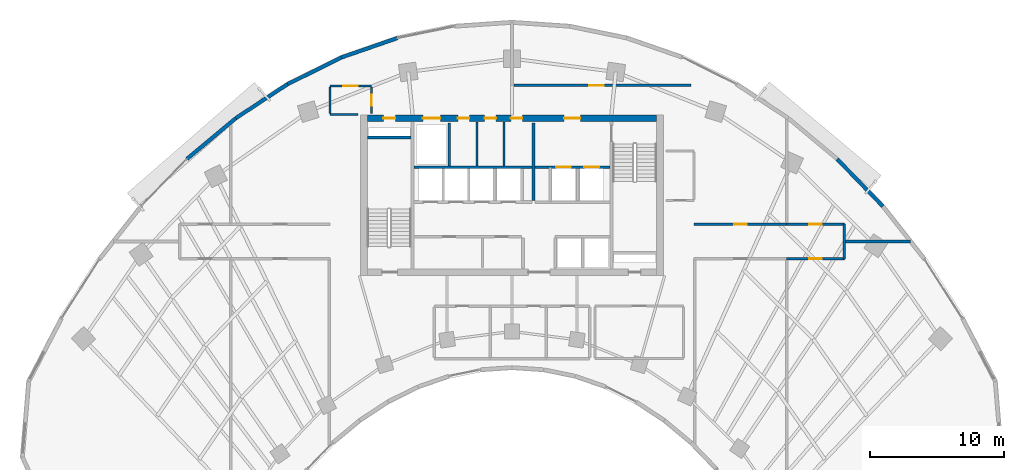
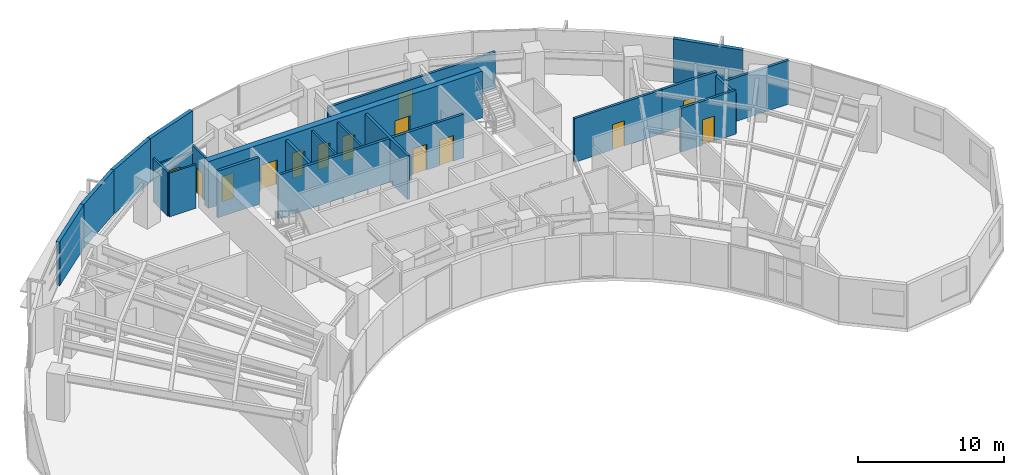
# One storey, part 10 of 14: 23 walls, 14 doors, 14 openings.
"""IFC4 building model written with IfcOpenShell, lengths in metres."""

from ifc_helpers import new_model, si_unit, direction, frame, frame_2d, origin, place, context, subcontext, project, spatial, rectangle, extrude, source, transform, mapped, material, layer, layer_set, type_object, type_shapes, element, fill, save


model = new_model("IFC4")

# Units and contexts
model_context = context("Model", 3, precision=1e-05, world=origin(), true_north=direction((0.0, 1.0)))
body_context = subcontext(model_context, "Body", "Model", "MODEL_VIEW")
ifc_project = project(units=[si_unit("LENGTHUNIT", "METRE"), si_unit("AREAUNIT", "SQUARE_METRE"), si_unit("VOLUMEUNIT", "CUBIC_METRE"), si_unit("PLANEANGLEUNIT", "RADIAN"), si_unit("MASSUNIT", "GRAM", prefix="KILO")], contexts=[model_context])

# Site, building, storey
site_placement = place(None, origin())
site = spatial("IfcSite", under=ifc_project, at=site_placement, CompositionType="ELEMENT")
building_placement = place(site_placement, origin())
building = spatial("IfcBuilding", under=site, at=building_placement, Name="Breltana Convention Tower", CompositionType="ELEMENT")
storey_placement = place(building_placement, frame((0.0, 0.0, 115.5)))
storey = spatial("IfcBuildingStorey", under=building, at=storey_placement, Name="L27", CompositionType="ELEMENT", Elevation=115.5)

# Wall, openings, doors
ifc_material_1 = material(Name="Concrete C60/75", Category="concrete")
ifc_layer_1 = layer(ifc_material_1, 0.5, Name="Concrete C60/75")
ifc_layer_set_1 = layer_set([ifc_layer_1], Name="Concrete C60/75")
wall_type_1 = type_object("IfcWallType", Name="SW-CORE-500", PredefinedType="SHEAR", material=ifc_layer_set_1)
shared_shape_1 = source(origin(), body_context, "Body", "SweptSolid", [
    extrude(rectangle(XDim=21.60009765625, YDim=0.5, at=frame_2d((10.800048828125, 0.0))), origin(), (0.0, 0.0, 1.0), 3.89990234375),
])
wall_1_placement = place(storey_placement, frame((37.199951171875, 71.949951171875, 0.0), z_axis=(0.0, 0.0, 1.0), x_axis=(1.0, 0.0, 0.0)))
wall_1 = element("IfcWall", 1, at=wall_1_placement, inside=storey, type_object=wall_type_1, Name="L27 North Core Shear Wall", PredefinedType="SHEAR", context=body_context, shape_type="MappedRepresentation", body=[
    mapped(shared_shape_1, transform((0.0, 0.0, 0.0), scale=1.0)),
])
opening_1_placement = place(wall_1_placement, frame((1.199951171875, 0.0, 0.0)))
opening_1 = element("IfcOpeningElement", 2, at=opening_1_placement, cuts=wall_1, Name="Opening D-18", PredefinedType="OPENING", context=body_context, shape_type="SweptSolid", body=[
    extrude(rectangle(XDim=0.89990234375, YDim=2.10009765625, at=frame_2d((0.449951171875, 1.050048828125))), frame((0.0, 0.260009765625, 0.0), z_axis=(0.0, -1.0, 0.0), x_axis=(1.0, 0.0, 0.0)), (0.0, 0.0, 1.0), 0.52001953125),
])
opening_2_placement = place(wall_1_placement, frame((14.699951171875, 0.0, 0.0)))
opening_2 = element("IfcOpeningElement", 3, at=opening_2_placement, cuts=wall_1, Name="Opening D-09", PredefinedType="OPENING", context=body_context, shape_type="SweptSolid", body=[
    extrude(rectangle(XDim=1.199951171875, YDim=2.14990234375, at=frame_2d((0.60009765625, 1.074951171875))), frame((0.0, 0.260009765625, 0.0), z_axis=(0.0, -1.0, 0.0), x_axis=(1.0, 0.0, 0.0)), (0.0, 0.0, 1.0), 0.52001953125),
])
opening_3_placement = place(wall_1_placement, frame((4.14990234375, 0.0, 0.0)))
opening_3 = element("IfcOpeningElement", 4, at=opening_3_placement, cuts=wall_1, Name="Opening LD-01", PredefinedType="OPENING", context=body_context, shape_type="SweptSolid", body=[
    extrude(rectangle(XDim=1.300048828125, YDim=2.14990234375, at=frame_2d((0.64990234375, 1.074951171875))), frame((0.0, 0.260009765625, 0.0), z_axis=(0.0, -1.0, 0.0), x_axis=(1.0, 0.0, 0.0)), (0.0, 0.0, 1.0), 0.52001953125),
])
opening_4_placement = place(wall_1_placement, frame((6.760009765625, 0.0, 0.0)))
opening_4 = element("IfcOpeningElement", 5, at=opening_4_placement, cuts=wall_1, Name="Opening D-20", PredefinedType="OPENING", context=body_context, shape_type="SweptSolid", body=[
    extrude(rectangle(XDim=0.85009765625, YDim=2.10009765625, at=frame_2d((0.425048828125, 1.050048828125))), frame((0.0, 0.260009765625, 0.0), z_axis=(0.0, -1.0, 0.0), x_axis=(1.0, 0.0, 0.0)), (0.0, 0.0, 1.0), 0.52001953125),
])
opening_5_placement = place(wall_1_placement, frame((8.760009765625, 0.0, 0.0)))
opening_5 = element("IfcOpeningElement", 6, at=opening_5_placement, cuts=wall_1, Name="Opening D-20", PredefinedType="OPENING", context=body_context, shape_type="SweptSolid", body=[
    extrude(rectangle(XDim=0.85009765625, YDim=2.10009765625, at=frame_2d((0.425048828125, 1.050048828125))), frame((0.0, 0.260009765625, 0.0), z_axis=(0.0, -1.0, 0.0), x_axis=(1.0, 0.0, 0.0)), (0.0, 0.0, 1.0), 0.52001953125),
])
opening_6_placement = place(wall_1_placement, frame((10.72509765625, 0.0, 0.0)))
opening_6 = element("IfcOpeningElement", 7, at=opening_6_placement, cuts=wall_1, Name="Opening D-20", PredefinedType="OPENING", context=body_context, shape_type="SweptSolid", body=[
    extrude(rectangle(XDim=0.85009765625, YDim=2.10009765625, at=frame_2d((0.425048828125, 1.050048828125))), frame((0.0, 0.260009765625, 0.0), z_axis=(0.0, -1.0, 0.0), x_axis=(1.0, 0.0, 0.0)), (0.0, 0.0, 1.0), 0.52001953125),
])
ifc_material_2 = material(Name="Steel Riser Fire Door", Category="steel")
door_type_1 = type_object("IfcDoorType", Name="DR-FD60-900", OperationType="NOTDEFINED", PredefinedType="DOOR", material=ifc_material_2)
shared_shape_2 = source(origin(), body_context, "Body", "SweptSolid", [
    extrude(rectangle(XDim=0.89990234375, YDim=2.10009765625, at=frame_2d((0.449951171875, 1.050048828125))), frame((0.0, 0.02490234375, 0.0), z_axis=(0.0, -1.0, 0.0), x_axis=(1.0, 0.0, 0.0)), (0.0, 0.0, 1.0), 0.050048828125),
])
type_shapes(door_type_1, [shared_shape_2])
door_1_placement = place(opening_1_placement, origin())
door_1 = element("IfcDoor", 8, at=door_1_placement, inside=storey, type_object=door_type_1, Name="L27 Core Riser Access Door D-L27-RS1", OperationType="SINGLE_SWING_LEFT", OverallHeight=2.10009765625, OverallWidth=0.89990234375, PredefinedType="DOOR", context=body_context, shape_type="MappedRepresentation", body=[
    mapped(shared_shape_2, transform((0.0, 0.0, 0.0), scale=1.0)),
])
fill(opening_1, door_1)
ifc_material_3 = material(Name="Steel Fire Lobby Door", Category="steel")
door_type_2 = type_object("IfcDoorType", Name="DR-FD120-1200", OperationType="NOTDEFINED", PredefinedType="DOOR", material=ifc_material_3)
shared_shape_3 = source(origin(), body_context, "Body", "SweptSolid", [
    extrude(rectangle(XDim=1.199951171875, YDim=2.14990234375, at=frame_2d((0.60009765625, 1.074951171875))), frame((0.0, 0.02490234375, 0.0), z_axis=(0.0, -1.0, 0.0), x_axis=(1.0, 0.0, 0.0)), (0.0, 0.0, 1.0), 0.050048828125),
])
type_shapes(door_type_2, [shared_shape_3])
door_2_placement = place(opening_2_placement, origin())
door_2 = element("IfcDoor", 9, at=door_2_placement, inside=storey, type_object=door_type_2, Name="L27 interior door D-L27-FFL-N", OperationType="SINGLE_SWING_RIGHT", OverallHeight=2.14990234375, OverallWidth=1.199951171875, PredefinedType="DOOR", context=body_context, shape_type="MappedRepresentation", body=[
    mapped(shared_shape_3, transform((0.0, 0.0, 0.0), scale=1.0)),
])
fill(opening_2, door_2)
ifc_material_4 = material(Name="Stainless Steel Brushed", Category="steel")
door_type_3 = type_object("IfcDoorType", Name="DR-LD-SRV-1300", OperationType="DOUBLE_DOOR_SLIDING", PredefinedType="DOOR", material=ifc_material_4)
shared_shape_4 = source(origin(), body_context, "Body", "SweptSolid", [
    extrude(rectangle(XDim=1.300048828125, YDim=2.14990234375, at=frame_2d((0.64990234375, 1.074951171875))), frame((0.0, 0.02490234375, 0.0), z_axis=(0.0, -1.0, 0.0), x_axis=(1.0, 0.0, 0.0)), (0.0, 0.0, 1.0), 0.050048828125),
])
type_shapes(door_type_3, [shared_shape_4])
door_3_placement = place(opening_3_placement, origin())
door_3 = element("IfcDoor", 10, at=door_3_placement, inside=storey, type_object=door_type_3, Name="L27 Lift Landing Door D-L27-LD-SV1", OperationType="DOUBLE_DOOR_SLIDING", OverallHeight=2.14990234375, OverallWidth=1.300048828125, PredefinedType="DOOR", context=body_context, shape_type="MappedRepresentation", body=[
    mapped(shared_shape_4, transform((0.0, 0.0, 0.0), scale=1.0)),
])
fill(opening_3, door_3)
ifc_material_5 = material(Name="Steel Closet Fire Door", Category="steel")
door_type_4 = type_object("IfcDoorType", Name="DR-FD60-850", OperationType="NOTDEFINED", PredefinedType="DOOR", material=ifc_material_5)
shared_shape_5 = source(origin(), body_context, "Body", "SweptSolid", [
    extrude(rectangle(XDim=0.85009765625, YDim=2.10009765625, at=frame_2d((0.425048828125, 1.050048828125))), frame((0.0, 0.02490234375, 0.0), z_axis=(0.0, -1.0, 0.0), x_axis=(1.0, 0.0, 0.0)), (0.0, 0.0, 1.0), 0.050048828125),
])
type_shapes(door_type_4, [shared_shape_5])
door_4_placement = place(opening_4_placement, origin())
door_4 = element("IfcDoor", 11, at=door_4_placement, inside=storey, type_object=door_type_4, Name="L27 interior door D-L27-CRA1", OperationType="SINGLE_SWING_LEFT", OverallHeight=2.10009765625, OverallWidth=0.85009765625, PredefinedType="DOOR", context=body_context, shape_type="MappedRepresentation", body=[
    mapped(shared_shape_5, transform((0.0, 0.0, 0.0), scale=1.0)),
])
fill(opening_4, door_4)
door_5_placement = place(opening_5_placement, origin())
door_5 = element("IfcDoor", 12, at=door_5_placement, inside=storey, type_object=door_type_4, Name="L27 interior door D-L27-CRA2", OperationType="SINGLE_SWING_RIGHT", OverallHeight=2.10009765625, OverallWidth=0.85009765625, PredefinedType="DOOR", context=body_context, shape_type="MappedRepresentation", body=[
    mapped(shared_shape_5, transform((0.0, 0.0, 0.0), scale=1.0)),
])
fill(opening_5, door_5)
door_6_placement = place(opening_6_placement, origin())
door_6 = element("IfcDoor", 13, at=door_6_placement, inside=storey, type_object=door_type_4, Name="L27 interior door D-L27-CRA3", OperationType="SINGLE_SWING_LEFT", OverallHeight=2.10009765625, OverallWidth=0.85009765625, PredefinedType="DOOR", context=body_context, shape_type="MappedRepresentation", body=[
    mapped(shared_shape_5, transform((0.0, 0.0, 0.0), scale=1.0)),
])
fill(opening_6, door_6)

# Walls
ifc_material_6 = material(Name="Concrete C50/60", Category="concrete")
ifc_layer_2 = layer(ifc_material_6, 0.39990234375, Name="Concrete C50/60")
ifc_layer_set_2 = layer_set([ifc_layer_2], Name="Concrete C50/60")
wall_type_2 = type_object("IfcWallType", Name="SW-CORE-400", PredefinedType="SHEAR", material=ifc_layer_set_2)
shared_shape_6 = source(origin(), body_context, "Body", "SweptSolid", [
    extrude(rectangle(XDim=3.27001953125, YDim=0.219970703125, at=frame_2d((1.635009765625, 0.0))), origin(), (0.0, 0.0, 1.0), 3.89990234375),
])
wall_2_placement = place(storey_placement, frame((37.199951171875, 70.510009765625, 0.0), z_axis=(0.0, 0.0, 1.0), x_axis=(1.0, 0.0, 0.0)))
element("IfcWall", 14, at=wall_2_placement, inside=storey, type_object=wall_type_2, Name="L27 ST-1 Stairwell North Bearing Wall", PredefinedType="SHEAR", context=body_context, shape_type="MappedRepresentation", body=[
    mapped(shared_shape_6, transform((0.0, 0.0, 0.0), scale=1.0)),
])
ifc_material_7 = material(Name="Limestone Buff Insulated Wall", Category="masonry")
ifc_layer_3 = layer(ifc_material_7, 0.280029296875, Name="Limestone Buff Insulated Wall")
ifc_layer_set_3 = layer_set([ifc_layer_3], Name="Limestone Buff Insulated Wall")
wall_type_3 = type_object("IfcWallType", Name="WL-EXT-NOSE-280", PredefinedType="SOLIDWALL", material=ifc_layer_set_3)
shared_shape_7 = source(origin(), body_context, "Body", "SweptSolid", [
    extrude(rectangle(XDim=4.908447265625, YDim=0.280029296875, at=frame_2d((2.4541015625, 0.0))), origin(), (0.0, 0.0, 1.0), 3.64990234375),
])
wall_3_placement = place(storey_placement, frame((72.275390625, 68.907470703125, 0.0), z_axis=(0.0, 0.0, 1.0), x_axis=(0.694613154328, -0.719383462302, 0.0)))
element("IfcWall", 15, at=wall_3_placement, inside=storey, type_object=wall_type_3, Name="L27 curved limestone nose wall E31", PredefinedType="SOLIDWALL", context=body_context, shape_type="MappedRepresentation", body=[
    mapped(shared_shape_7, transform((0.0, 0.0, 0.0), scale=1.0)),
])
shared_shape_8 = source(origin(), body_context, "Body", "SweptSolid", [
    extrude(rectangle(XDim=4.76220703125, YDim=0.280029296875, at=frame_2d((2.381103515625, 0.0))), origin(), (0.0, 0.0, 1.0), 3.64990234375),
])
wall_4_placement = place(storey_placement, frame((23.724609375, 68.907470703125, 0.0), z_axis=(0.0, 0.0, 1.0), x_axis=(0.767952279762, 0.640507061638, 0.0)))
element("IfcWall", 16, at=wall_4_placement, inside=storey, type_object=wall_type_3, Name="L27 curved limestone nose wall E21", PredefinedType="SOLIDWALL", context=body_context, shape_type="MappedRepresentation", body=[
    mapped(shared_shape_8, transform((0.0, 0.0, 0.0), scale=1.0)),
])
shared_shape_9 = source(origin(), body_context, "Body", "SweptSolid", [
    extrude(rectangle(XDim=4.625732421875, YDim=0.280029296875, at=frame_2d((2.31298828125, 0.0))), origin(), (0.0, 0.0, 1.0), 3.64990234375),
])
wall_5_placement = place(storey_placement, frame((27.3818359375, 71.957763671875, 0.0), z_axis=(0.0, 0.0, 1.0), x_axis=(0.83595938331, 0.548791316855, 0.0)))
element("IfcWall", 17, at=wall_5_placement, inside=storey, type_object=wall_type_3, Name="L27 curved limestone nose wall E22", PredefinedType="SOLIDWALL", context=body_context, shape_type="MappedRepresentation", body=[
    mapped(shared_shape_9, transform((0.0, 0.0, 0.0), scale=1.0)),
])
shared_shape_10 = source(origin(), body_context, "Body", "SweptSolid", [
    extrude(rectangle(XDim=4.408935546875, YDim=0.280029296875, at=frame_2d((2.20458984375, 0.0))), origin(), (0.0, 0.0, 1.0), 3.64990234375),
])
wall_6_placement = place(storey_placement, frame((35.28564453125, 76.497314453125, 0.0), z_axis=(0.0, 0.0, 1.0), x_axis=(0.944879374121, 0.327418643881, 0.0)))
element("IfcWall", 18, at=wall_6_placement, inside=storey, type_object=wall_type_3, Name="L27 curved limestone nose wall E24", PredefinedType="SOLIDWALL", context=body_context, shape_type="MappedRepresentation", body=[
    mapped(shared_shape_10, transform((0.0, 0.0, 0.0), scale=1.0)),
])
shared_shape_11 = source(origin(), body_context, "Body", "SweptSolid", [
    extrude(rectangle(XDim=4.505615234375, YDim=0.280029296875, at=frame_2d((2.2529296875, 0.0))), origin(), (0.0, 0.0, 1.0), 3.64990234375),
])
wall_7_placement = place(storey_placement, frame((31.248779296875, 74.496337890625, 0.0), z_axis=(0.0, 0.0, 1.0), x_axis=(0.89597155075, 0.444111450254, 0.0)))
element("IfcWall", 19, at=wall_7_placement, inside=storey, type_object=wall_type_3, Name="L27 curved limestone nose wall E23", PredefinedType="SOLIDWALL", context=body_context, shape_type="MappedRepresentation", body=[
    mapped(shared_shape_11, transform((0.0, 0.0, 0.0), scale=1.0)),
])

# Wall, openings, doors
ifc_material_8 = material(Name="Autoclaved Aerated Concrete Block", Category="concrete")
ifc_layer_4 = layer(ifc_material_8, 0.199951171875, Name="Autoclaved Aerated Concrete Block")
ifc_layer_set_4 = layer_set([ifc_layer_4], Name="Autoclaved Aerated Concrete Block")
wall_type_4 = type_object("IfcWallType", Name="WL-SHAFT-200", PredefinedType="SOLIDWALL", material=ifc_layer_set_4)
shared_shape_12 = source(origin(), body_context, "Body", "SweptSolid", [
    extrude(rectangle(XDim=5.6201171875, YDim=0.199951171875, at=frame_2d((2.81005859375, 0.0))), origin(), (0.0, 0.0, 1.0), 3.64990234375),
])
wall_8_placement = place(storey_placement, frame((49.699951171875, 68.300048828125, 0.0), z_axis=(0.0, 0.0, 1.0), x_axis=(1.0, 0.0, 0.0)))
wall_8 = element("IfcWall", 20, at=wall_8_placement, inside=storey, type_object=wall_type_4, Name="L27 interior partition W-L27-FFL-S", PredefinedType="SOLIDWALL", context=body_context, shape_type="MappedRepresentation", body=[
    mapped(shared_shape_12, transform((0.0, 0.0, 0.0), scale=1.0)),
])
opening_7_placement = place(wall_8_placement, frame((1.60009765625, 0.0, 0.0)))
opening_7 = element("IfcOpeningElement", 21, at=opening_7_placement, cuts=wall_8, Name="Opening LD-03", PredefinedType="OPENING", context=body_context, shape_type="SweptSolid", body=[
    extrude(rectangle(XDim=1.10009765625, YDim=2.14990234375, at=frame_2d((0.550048828125, 1.074951171875))), frame((0.0, 0.10986328125, 0.0), z_axis=(0.0, -1.0, 0.0), x_axis=(1.0, 0.0, 0.0)), (0.0, 0.0, 1.0), 0.219970703125),
])
opening_8_placement = place(wall_8_placement, frame((3.699951171875, 0.0, 0.0)))
opening_8 = element("IfcOpeningElement", 22, at=opening_8_placement, cuts=wall_8, Name="Opening LD-03", PredefinedType="OPENING", context=body_context, shape_type="SweptSolid", body=[
    extrude(rectangle(XDim=1.10009765625, YDim=2.14990234375, at=frame_2d((0.550048828125, 1.074951171875))), frame((0.0, 0.10986328125, 0.0), z_axis=(0.0, -1.0, 0.0), x_axis=(1.0, 0.0, 0.0)), (0.0, 0.0, 1.0), 0.219970703125),
])
door_type_5 = type_object("IfcDoorType", Name="DR-LD-FF-1100", OperationType="DOUBLE_DOOR_SLIDING", PredefinedType="DOOR", material=ifc_material_4)
shared_shape_13 = source(origin(), body_context, "Body", "SweptSolid", [
    extrude(rectangle(XDim=1.10009765625, YDim=2.14990234375, at=frame_2d((0.550048828125, 1.074951171875))), frame((0.0, 0.02490234375, 0.0), z_axis=(0.0, -1.0, 0.0), x_axis=(1.0, 0.0, 0.0)), (0.0, 0.0, 1.0), 0.050048828125),
])
type_shapes(door_type_5, [shared_shape_13])
door_7_placement = place(opening_7_placement, origin())
door_7 = element("IfcDoor", 23, at=door_7_placement, inside=storey, type_object=door_type_5, Name="L27 Lift Landing Door D-L27-LD-FL1", OperationType="DOUBLE_DOOR_SLIDING", OverallHeight=2.14990234375, OverallWidth=1.10009765625, PredefinedType="DOOR", context=body_context, shape_type="MappedRepresentation", body=[
    mapped(shared_shape_13, transform((0.0, 0.0, 0.0), scale=1.0)),
])
fill(opening_7, door_7)
door_8_placement = place(opening_8_placement, origin())
door_8 = element("IfcDoor", 24, at=door_8_placement, inside=storey, type_object=door_type_5, Name="L27 Lift Landing Door D-L27-LD-FL2", OperationType="DOUBLE_DOOR_SLIDING", OverallHeight=2.14990234375, OverallWidth=1.10009765625, PredefinedType="DOOR", context=body_context, shape_type="MappedRepresentation", body=[
    mapped(shared_shape_13, transform((0.0, 0.0, 0.0), scale=1.0)),
])
fill(opening_8, door_8)

# Walls
shared_shape_14 = source(origin(), body_context, "Body", "SweptSolid", [
    extrude(rectangle(XDim=5.800048828125, YDim=0.199951171875, at=frame_2d((2.89990234375, 0.0))), origin(), (0.0, 0.0, 1.0), 3.64990234375),
])
wall_9_placement = place(storey_placement, frame((49.60009765625, 65.800048828125, 0.0), z_axis=(0.0, 0.0, 1.0), x_axis=(0.0, 1.0, 0.0)))
element("IfcWall", 25, at=wall_9_placement, inside=storey, type_object=wall_type_4, Name="L27 interior partition W-L27-FFL-W", PredefinedType="SOLIDWALL", context=body_context, shape_type="MappedRepresentation", body=[
    mapped(shared_shape_14, transform((0.0, 0.0, 0.0), scale=1.0)),
])
shared_shape_15 = source(origin(), body_context, "Body", "SweptSolid", [
    extrude(rectangle(XDim=3.2001953125, YDim=0.199951171875, at=frame_2d((1.60009765625, 0.0))), origin(), (0.0, 0.0, 1.0), 3.64990234375),
])
wall_10_placement = place(storey_placement, frame((43.320068359375, 68.39990234375, 0.0), z_axis=(0.0, 0.0, 1.0), x_axis=(0.0, 1.0, 0.0)))
element("IfcWall", 26, at=wall_10_placement, inside=storey, type_object=wall_type_4, Name="L27 interior partition W-L27-SV-E", PredefinedType="SOLIDWALL", context=body_context, shape_type="MappedRepresentation", body=[
    mapped(shared_shape_15, transform((0.0, 0.0, 0.0), scale=1.0)),
])
shared_shape_16 = source(origin(), body_context, "Body", "SweptSolid", [
    extrude(rectangle(XDim=8.800048828125, YDim=0.199951171875, at=frame_2d((4.39990234375, 0.0))), origin(), (0.0, 0.0, 1.0), 3.64990234375),
])
wall_11_placement = place(storey_placement, frame((40.699951171875, 68.300048828125, 0.0), z_axis=(0.0, 0.0, 1.0), x_axis=(1.0, 0.0, 0.0)))
element("IfcWall", 27, at=wall_11_placement, inside=storey, type_object=wall_type_4, Name="L27 interior partition W-L27-SV-S", PredefinedType="SOLIDWALL", context=body_context, shape_type="MappedRepresentation", body=[
    mapped(shared_shape_16, transform((0.0, 0.0, 0.0), scale=1.0)),
])
ifc_material_9 = material(Name="Gypsum Acoustic Drywall Partition")
ifc_layer_5 = layer(ifc_material_9, 0.14990234375, Name="Gypsum Acoustic Drywall Partition")
ifc_layer_set_5 = layer_set([ifc_layer_5], Name="Gypsum Acoustic Drywall Partition")
wall_type_5 = type_object("IfcWallType", Name="WL-PART-150", PredefinedType="PARTITIONING", material=ifc_layer_set_5)
shared_shape_17 = source(origin(), body_context, "Body", "SweptSolid", [
    extrude(rectangle(XDim=3.280029296875, YDim=0.14990234375, at=frame_2d((1.64013671875, 0.0))), origin(), (0.0, 0.0, 1.0), 3.64990234375),
])
for number, where, z_axis, x_axis, name in (
    (28, (45.39990234375, 68.39990234375, 0.0), (0.0, 0.0, 1.0), (0.0, 1.0, 0.0), "L27 interior partition W-L27-KV-1"),
    (29, (47.39990234375, 68.39990234375, 0.0), (0.0, 0.0, 1.0), (0.0, 1.0, 0.0), "L27 interior partition W-L27-KV-2"),
):
    element("IfcWall", number, at=place(storey_placement, frame(where, z_axis=z_axis, x_axis=x_axis)), inside=storey, type_object=wall_type_5, Name=name, PredefinedType="PARTITIONING", context=body_context, shape_type="MappedRepresentation", body=[
        mapped(shared_shape_17, transform((0.0, 0.0, 0.0), scale=1.0)),
    ])
shared_shape_18 = source(origin(), body_context, "Body", "SweptSolid", [
    extrude(rectangle(XDim=2.10009765625, YDim=0.14990234375, at=frame_2d((1.050048828125, 0.0))), origin(), (0.0, 0.0, 1.0), 3.64990234375),
])
wall_12_placement = place(storey_placement, frame((34.39990234375, 72.219970703125, 0.0), z_axis=(0.0, 0.0, 1.0), x_axis=(1.0, 0.0, 0.0)))
element("IfcWall", 30, at=wall_12_placement, inside=storey, type_object=wall_type_5, Name="L27 interior partition W-L27-CRNE-S", PredefinedType="PARTITIONING", context=body_context, shape_type="MappedRepresentation", body=[
    mapped(shared_shape_18, transform((0.0, 0.0, 0.0), scale=1.0)),
])
shared_shape_19 = source(origin(), body_context, "Body", "SweptSolid", [
    extrude(rectangle(XDim=1.994873046875, YDim=0.14990234375, at=frame_2d((0.99755859375, 0.0))), origin(), (0.0, 0.0, 1.0), 3.64990234375),
])
wall_13_placement = place(storey_placement, frame((34.39990234375, 72.28759765625, 0.0), z_axis=(0.0, 0.0, 1.0), x_axis=(0.0, 1.0, 0.0)))
element("IfcWall", 31, at=wall_13_placement, inside=storey, type_object=wall_type_5, Name="L27 interior partition W-L27-CRNE-W", PredefinedType="PARTITIONING", context=body_context, shape_type="MappedRepresentation", body=[
    mapped(shared_shape_19, transform((0.0, 0.0, 0.0), scale=1.0)),
])

# Wall, opening, door
shared_shape_20 = source(origin(), body_context, "Body", "SweptSolid", [
    extrude(rectangle(XDim=1.982421875, YDim=0.14990234375, at=frame_2d((0.9912109375, 0.0))), origin(), (0.0, 0.0, 1.0), 3.64990234375),
])
wall_14_placement = place(storey_placement, frame((37.5, 72.300048828125, 0.0), z_axis=(0.0, 0.0, 1.0), x_axis=(0.0, 1.0, 0.0)))
wall_14 = element("IfcWall", 32, at=wall_14_placement, inside=storey, type_object=wall_type_5, Name="L27 interior partition W-L27-CRNE-E", PredefinedType="PARTITIONING", context=body_context, shape_type="MappedRepresentation", body=[
    mapped(shared_shape_20, transform((0.0, 0.0, 0.0), scale=1.0)),
])
opening_9_placement = place(wall_14_placement, frame((0.56640625, 0.0, 0.0)))
opening_9 = element("IfcOpeningElement", 33, at=opening_9_placement, cuts=wall_14, Name="Opening D-20", PredefinedType="OPENING", context=body_context, shape_type="SweptSolid", body=[
    extrude(rectangle(XDim=0.85009765625, YDim=2.10009765625, at=frame_2d((0.425048828125, 1.050048828125))), frame((0.0, 0.0849609375, 0.0), z_axis=(0.0, -1.0, 0.0), x_axis=(1.0, 0.0, 0.0)), (0.0, 0.0, 1.0), 0.169921875),
])
door_9_placement = place(opening_9_placement, origin())
door_9 = element("IfcDoor", 34, at=door_9_placement, inside=storey, type_object=door_type_4, Name="L27 interior door D-L27-CRNE", OperationType="SINGLE_SWING_RIGHT", OverallHeight=2.10009765625, OverallWidth=0.85009765625, PredefinedType="DOOR", context=body_context, shape_type="MappedRepresentation", body=[
    mapped(shared_shape_5, transform((0.0, 0.0, 0.0), scale=1.0)),
])
fill(opening_9, door_9)

ifc_material_10 = material(Name="Gypsum Acoustic Hotel Wall")
ifc_layer_6 = layer(ifc_material_10, 0.195068359375, Name="Gypsum Acoustic Hotel Wall")
ifc_layer_set_6 = layer_set([ifc_layer_6], Name="Gypsum Acoustic Hotel Wall")
wall_type_6 = type_object("IfcWallType", Name="WL-HOTEL-200", PredefinedType="PARTITIONING", material=ifc_layer_set_6)
shared_shape_21 = source(origin(), body_context, "Body", "SweptSolid", [
    extrude(rectangle(XDim=13.2001953125, YDim=0.195068359375, at=frame_2d((6.60009765625, 0.0))), origin(), (0.0, 0.0, 1.0), 3.02197265625),
])
wall_15_placement = place(storey_placement, frame((48.14990234375, 74.39990234375, 0.0), z_axis=(0.0, 0.0, 1.0), x_axis=(1.0, 0.0, 0.0)))
wall_15 = element("IfcWall", 35, at=wall_15_placement, inside=storey, type_object=wall_type_6, Name="L27 interior partition W-L27-ZN2-S", PredefinedType="PARTITIONING", context=body_context, shape_type="MappedRepresentation", body=[
    mapped(shared_shape_21, transform((0.0, 0.0, 0.0), scale=1.0)),
])
opening_10_placement = place(wall_15_placement, frame((5.60009765625, 0.0, 0.0)))
opening_10 = element("IfcOpeningElement", 36, at=opening_10_placement, cuts=wall_15, Name="Opening D-12", PredefinedType="OPENING", context=body_context, shape_type="SweptSolid", body=[
    extrude(rectangle(XDim=1.10009765625, YDim=2.14990234375, at=frame_2d((0.550048828125, 1.074951171875))), frame((0.0, 0.107421875, 0.0), z_axis=(0.0, -1.0, 0.0), x_axis=(1.0, 0.0, 0.0)), (0.0, 0.0, 1.0), 0.215087890625),
])
ifc_material_11 = material(Name="Timber Oak Acoustic Door", Category="wood")
door_type_6 = type_object("IfcDoorType", Name="DR-INT-1100", OperationType="NOTDEFINED", PredefinedType="DOOR", material=ifc_material_11)
shared_shape_22 = source(origin(), body_context, "Body", "SweptSolid", [
    extrude(rectangle(XDim=1.10009765625, YDim=2.14990234375, at=frame_2d((0.550048828125, 1.074951171875))), frame((0.0, 0.02490234375, 0.0), z_axis=(0.0, -1.0, 0.0), x_axis=(1.0, 0.0, 0.0)), (0.0, 0.0, 1.0), 0.050048828125),
])
type_shapes(door_type_6, [shared_shape_22])
door_10_placement = place(opening_10_placement, origin())
door_10 = element("IfcDoor", 37, at=door_10_placement, inside=storey, type_object=door_type_6, Name="L27 interior door D-L27-ZN2", OperationType="SINGLE_SWING_LEFT", OverallHeight=2.14990234375, OverallWidth=1.10009765625, PredefinedType="DOOR", context=body_context, shape_type="MappedRepresentation", body=[
    mapped(shared_shape_22, transform((0.0, 0.0, 0.0), scale=1.0)),
])
fill(opening_10, door_10)

# Wall
shared_shape_23 = source(origin(), body_context, "Body", "SweptSolid", [
    extrude(rectangle(XDim=2.6201171875, YDim=0.195068359375, at=frame_2d((1.31005859375, 0.0))), origin(), (0.0, 0.0, 1.0), 3.323974609375),
])
wall_16_placement = place(storey_placement, frame((72.820068359375, 61.43994140625, 0.0), z_axis=(0.0, 0.0, 1.0), x_axis=(0.0, 1.0, 0.0)))
element("IfcWall", 38, at=wall_16_placement, inside=storey, type_object=wall_type_6, Name="L27 interior partition W-L27-ZFE-CAP", PredefinedType="PARTITIONING", context=body_context, shape_type="MappedRepresentation", body=[
    mapped(shared_shape_23, transform((0.0, 0.0, 0.0), scale=1.0)),
])

# Wall, opening, door
shared_shape_24 = source(origin(), body_context, "Body", "SweptSolid", [
    extrude(rectangle(XDim=3.10009765625, YDim=0.14990234375, at=frame_2d((1.550048828125, 0.0))), origin(), (0.0, 0.0, 1.0), 3.02197265625),
])
wall_17_placement = place(storey_placement, frame((34.39990234375, 74.35009765625, 0.0), z_axis=(0.0, 0.0, 1.0), x_axis=(1.0, 0.0, 0.0)))
wall_17 = element("IfcWall", 39, at=wall_17_placement, inside=storey, type_object=wall_type_5, Name="L27 interior partition W-L27-CRNE-N", PredefinedType="PARTITIONING", context=body_context, shape_type="MappedRepresentation", body=[
    mapped(shared_shape_24, transform((0.0, 0.0, 0.0), scale=1.0)),
])
opening_11_placement = place(wall_17_placement, frame((1.0, 0.0, 0.0)))
opening_11 = element("IfcOpeningElement", 40, at=opening_11_placement, cuts=wall_17, Name="Opening D-12", PredefinedType="OPENING", context=body_context, shape_type="SweptSolid", body=[
    extrude(rectangle(XDim=1.10009765625, YDim=2.14990234375, at=frame_2d((0.550048828125, 1.074951171875))), frame((0.0, 0.0849609375, 0.0), z_axis=(0.0, -1.0, 0.0), x_axis=(1.0, 0.0, 0.0)), (0.0, 0.0, 1.0), 0.169921875),
])
door_11_placement = place(opening_11_placement, origin())
door_11 = element("IfcDoor", 41, at=door_11_placement, inside=storey, type_object=door_type_6, Name="L27 interior door D-L27-ZN1", OperationType="SINGLE_SWING_RIGHT", OverallHeight=2.14990234375, OverallWidth=1.10009765625, PredefinedType="DOOR", context=body_context, shape_type="MappedRepresentation", body=[
    mapped(shared_shape_22, transform((0.0, 0.0, 0.0), scale=1.0)),
])
fill(opening_11, door_11)

shared_shape_25 = source(origin(), body_context, "Body", "SweptSolid", [
    extrude(rectangle(XDim=6.89990234375, YDim=0.195068359375, at=frame_2d((3.449951171875, 0.0))), origin(), (0.0, 0.0, 1.0), 3.64990234375),
])
wall_18_placement = place(storey_placement, frame((61.60009765625, 64.0400390625, 0.0), z_axis=(0.0, 0.0, 1.0), x_axis=(1.0, 0.0, 0.0)))
wall_18 = element("IfcWall", 42, at=wall_18_placement, inside=storey, type_object=wall_type_6, Name="L27 interior partition W-L27-ZEN1-D", PredefinedType="PARTITIONING", context=body_context, shape_type="MappedRepresentation", body=[
    mapped(shared_shape_25, transform((0.0, 0.0, 0.0), scale=1.0)),
])
opening_12_placement = place(wall_18_placement, frame((2.97509765625, 0.0, 0.0)))
opening_12 = element("IfcOpeningElement", 43, at=opening_12_placement, cuts=wall_18, Name="Opening D-17", PredefinedType="OPENING", context=body_context, shape_type="SweptSolid", body=[
    extrude(rectangle(XDim=0.949951171875, YDim=2.10009765625, at=frame_2d((0.47509765625, 1.050048828125))), frame((0.0, 0.107421875, 0.0), z_axis=(0.0, -1.0, 0.0), x_axis=(1.0, 0.0, 0.0)), (0.0, 0.0, 1.0), 0.215087890625),
])
ifc_material_12 = material(Name="Timber Oak Veneer Door", Category="wood")
door_type_7 = type_object("IfcDoorType", Name="DR-INT-950", OperationType="NOTDEFINED", PredefinedType="DOOR", material=ifc_material_12)
shared_shape_26 = source(origin(), body_context, "Body", "SweptSolid", [
    extrude(rectangle(XDim=0.949951171875, YDim=2.10009765625, at=frame_2d((0.47509765625, 1.050048828125))), frame((0.0, 0.02490234375, 0.0), z_axis=(0.0, -1.0, 0.0), x_axis=(1.0, 0.0, 0.0)), (0.0, 0.0, 1.0), 0.050048828125),
])
type_shapes(door_type_7, [shared_shape_26])
door_12_placement = place(opening_12_placement, origin())
door_12 = element("IfcDoor", 44, at=door_12_placement, inside=storey, type_object=door_type_7, Name="L27 interior door D-L27-ZEN1", OperationType="SINGLE_SWING_RIGHT", OverallHeight=2.10009765625, OverallWidth=0.949951171875, PredefinedType="DOOR", context=body_context, shape_type="MappedRepresentation", body=[
    mapped(shared_shape_26, transform((0.0, 0.0, 0.0), scale=1.0)),
])
fill(opening_12, door_12)

shared_shape_27 = source(origin(), body_context, "Body", "SweptSolid", [
    extrude(rectangle(XDim=4.320068359375, YDim=0.195068359375, at=frame_2d((2.16015625, 0.0))), origin(), (0.0, 0.0, 1.0), 3.64990234375),
])
wall_19_placement = place(storey_placement, frame((68.5, 64.0400390625, 0.0), z_axis=(0.0, 0.0, 1.0), x_axis=(1.0, 0.0, 0.0)))
wall_19 = element("IfcWall", 45, at=wall_19_placement, inside=storey, type_object=wall_type_6, Name="L27 interior partition W-L27-ZEN2-D", PredefinedType="PARTITIONING", context=body_context, shape_type="MappedRepresentation", body=[
    mapped(shared_shape_27, transform((0.0, 0.0, 0.0), scale=1.0)),
])
opening_13_placement = place(wall_19_placement, frame((1.68505859375, 0.0, 0.0)))
opening_13 = element("IfcOpeningElement", 46, at=opening_13_placement, cuts=wall_19, Name="Opening D-17", PredefinedType="OPENING", context=body_context, shape_type="SweptSolid", body=[
    extrude(rectangle(XDim=0.949951171875, YDim=2.10009765625, at=frame_2d((0.47509765625, 1.050048828125))), frame((0.0, 0.107421875, 0.0), z_axis=(0.0, -1.0, 0.0), x_axis=(1.0, 0.0, 0.0)), (0.0, 0.0, 1.0), 0.215087890625),
])
door_13_placement = place(opening_13_placement, origin())
door_13 = element("IfcDoor", 47, at=door_13_placement, inside=storey, type_object=door_type_7, Name="L27 interior door D-L27-ZEN2", OperationType="SINGLE_SWING_LEFT", OverallHeight=2.10009765625, OverallWidth=0.949951171875, PredefinedType="DOOR", context=body_context, shape_type="MappedRepresentation", body=[
    mapped(shared_shape_26, transform((0.0, 0.0, 0.0), scale=1.0)),
])
fill(opening_13, door_13)

wall_20_placement = place(storey_placement, frame((68.5, 61.4599609375, 0.0), z_axis=(0.0, 0.0, 1.0), x_axis=(1.0, 0.0, 0.0)))
wall_20 = element("IfcWall", 48, at=wall_20_placement, inside=storey, type_object=wall_type_6, Name="L27 interior partition W-L27-ZES2-D", PredefinedType="PARTITIONING", context=body_context, shape_type="MappedRepresentation", body=[
    mapped(shared_shape_27, transform((0.0, 0.0, 0.0), scale=1.0)),
])
opening_14_placement = place(wall_20_placement, frame((1.68505859375, 0.0, 0.0)))
opening_14 = element("IfcOpeningElement", 49, at=opening_14_placement, cuts=wall_20, Name="Opening D-17", PredefinedType="OPENING", context=body_context, shape_type="SweptSolid", body=[
    extrude(rectangle(XDim=0.949951171875, YDim=2.10009765625, at=frame_2d((0.47509765625, 1.050048828125))), frame((0.0, 0.107421875, 0.0), z_axis=(0.0, -1.0, 0.0), x_axis=(1.0, 0.0, 0.0)), (0.0, 0.0, 1.0), 0.215087890625),
])
door_14_placement = place(opening_14_placement, origin())
door_14 = element("IfcDoor", 50, at=door_14_placement, inside=storey, type_object=door_type_7, Name="L27 interior door D-L27-ZES2", OperationType="SINGLE_SWING_LEFT", OverallHeight=2.10009765625, OverallWidth=0.949951171875, PredefinedType="DOOR", context=body_context, shape_type="MappedRepresentation", body=[
    mapped(shared_shape_26, transform((0.0, 0.0, 0.0), scale=1.0)),
])
fill(opening_14, door_14)

# Wall
shared_shape_28 = source(origin(), body_context, "Body", "SweptSolid", [
    extrude(rectangle(XDim=4.91748046875, YDim=0.195068359375, at=frame_2d((2.458740234375, 0.0))), origin(), (0.0, 0.0, 1.0), 3.64990234375),
])
wall_21_placement = place(storey_placement, frame((72.820068359375, 62.75, 0.0), z_axis=(0.0, 0.0, 1.0), x_axis=(1.0, 0.0, 0.0)))
element("IfcWall", 51, at=wall_21_placement, inside=storey, type_object=wall_type_6, Name="L27 interior partition W-L27-ZFE-EXT", PredefinedType="PARTITIONING", context=body_context, shape_type="MappedRepresentation", body=[
    mapped(shared_shape_28, transform((0.0, 0.0, 0.0), scale=1.0)),
])

save(model, "model.ifc")
